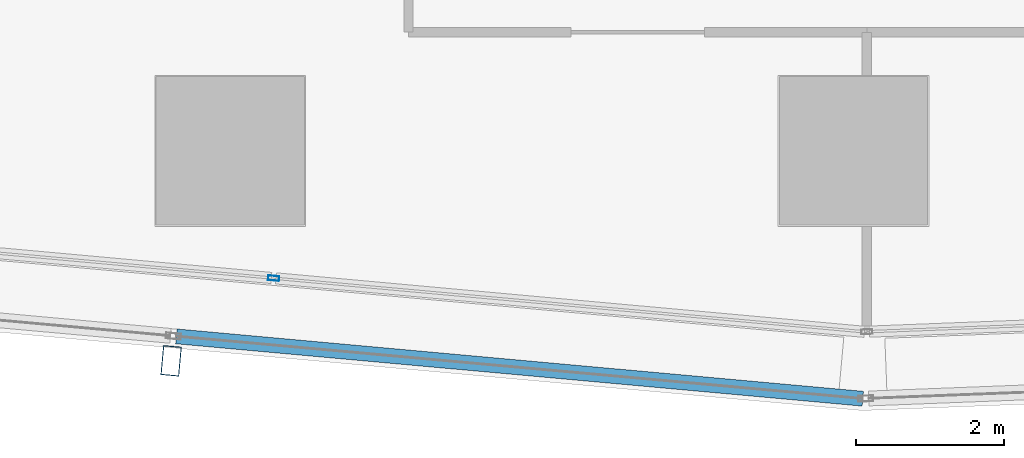
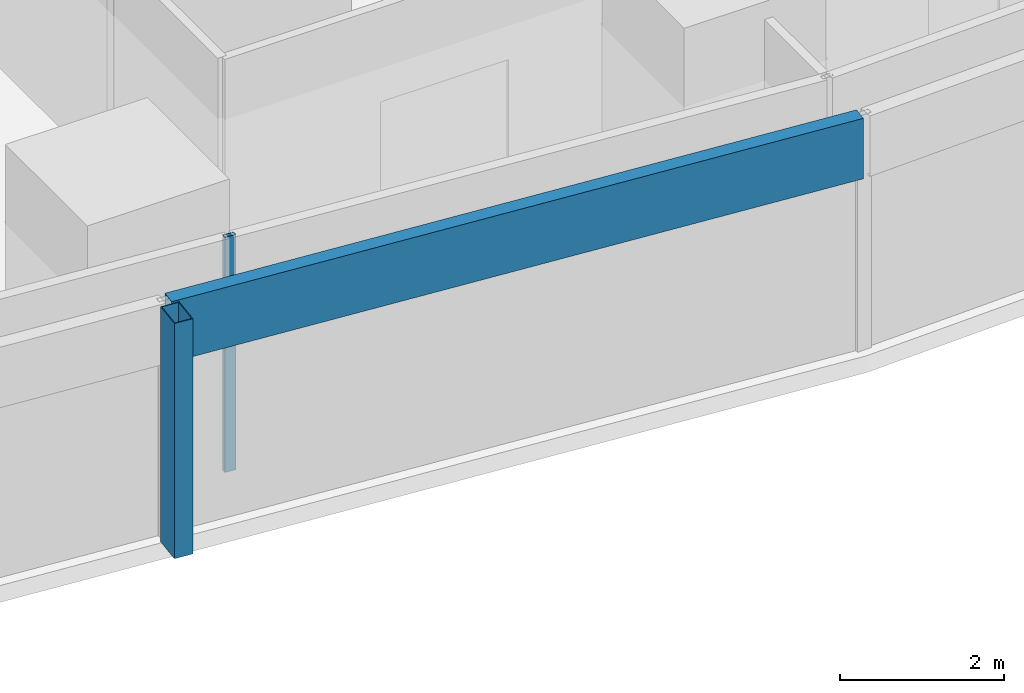
# One storey, part 3 of 39: 3 members, 2 elements without a shape of their own.
"""IFC4 building model written with IfcOpenShell, lengths in metres."""

from ifc_helpers import new_model, si_unit, direction, frame, origin, origin_2d, place, context, subcontext, project, spatial, hollow_rectangle, extrude, material, material_profile, profile_set, type_object, element, aggregate, save


model = new_model("IFC4")

# Units and contexts
model_context = context("Model", 3, precision=1e-05, world=origin(), true_north=direction((0.0, 1.0)))
body_context = subcontext(model_context, "Body", "Model", "MODEL_VIEW")
ifc_project = project(units=[si_unit("LENGTHUNIT", "METRE"), si_unit("AREAUNIT", "SQUARE_METRE"), si_unit("VOLUMEUNIT", "CUBIC_METRE"), si_unit("PLANEANGLEUNIT", "RADIAN"), si_unit("MASSUNIT", "GRAM", prefix="KILO")], contexts=[model_context])

# Site, building, storey
site_placement = place(None, origin())
site = spatial("IfcSite", under=ifc_project, at=site_placement, CompositionType="ELEMENT")
building_placement = place(site_placement, origin())
building = spatial("IfcBuilding", under=site, at=building_placement, Name="Rekha Terrace Tower", CompositionType="ELEMENT")
storey_placement = place(building_placement, frame((0.0, 0.0, 151.550048828125)))
storey = spatial("IfcBuildingStorey", under=building, at=storey_placement, Name="L38", CompositionType="ELEMENT", Elevation=151.550048828125)

# Curtain wall, member
ifc_material_1 = material(Name="Aluminium framing", Category="aluminium")
curtain_wall_type_1 = type_object("IfcCurtainWallType", Name="CW2 double skin outer glazing", PredefinedType="USERDEFINED", material=ifc_material_1)
curtain_wall_1_placement = place(storey_placement, origin())
curtain_wall_1 = element("IfcCurtainWall", 1, at=curtain_wall_1_placement, inside=storey, type_object=curtain_wall_type_1, Name="CW2 double skin outer glazing", ObjectType="DOUBLE SKIN OUTER GLAZING", PredefinedType="USERDEFINED")
ifc_material_2 = material(Name="Steel S355 with fluorocarbon finish", Category="steel")
ifc_material_profile_1 = material_profile(ifc_material_2, hollow_rectangle(XDim=0.25, YDim=0.39990234375, WallThickness=0.012451171875, at=origin_2d()), Name="RHS400x250x12.5")
ifc_profile_set_1 = profile_set([ifc_material_profile_1], Name="Steel S355 with fluorocarbon finish")
member_type_1 = type_object("IfcMemberType", Name="BL1 facade blade RHS 400 x 250", PredefinedType="USERDEFINED", material=ifc_profile_set_1)
member_1_placement = place(storey_placement, frame((16.002197265625, 13.970458984375, 0.0), z_axis=(0.0, 0.0, 1.0), x_axis=(0.995901938317, -0.090439644273, 0.0)))
member_1 = element("IfcMember", 2, at=member_1_placement, type_object=member_type_1, Name="Facade blade", ObjectType="FACADE BLADE", PredefinedType="USERDEFINED", context=body_context, shape_type="SweptSolid", body=[
    extrude(hollow_rectangle(XDim=0.25, YDim=0.39990234375, WallThickness=0.012451171875, at=origin_2d()), origin(), (0.0, 0.0, 1.0), 3.5),
])

curtain_wall_type_2 = type_object("IfcCurtainWallType", Name="CW1 double skin inner glazing", PredefinedType="USERDEFINED", material=ifc_material_1)
curtain_wall_2_placement = place(storey_placement, origin())
curtain_wall_2 = element("IfcCurtainWall", 3, at=curtain_wall_2_placement, inside=storey, type_object=curtain_wall_type_2, Name="CW1 double skin inner glazing", ObjectType="DOUBLE SKIN INNER GLAZING", PredefinedType="USERDEFINED")
ifc_material_3 = material(Name="Aluminium mullion section", Category="aluminium")
ifc_material_profile_2 = material_profile(ifc_material_3, hollow_rectangle(XDim=0.06494140625, YDim=0.14990234375, WallThickness=0.00390625, at=origin_2d()), Name="AL RHS 65x150")
ifc_profile_set_2 = profile_set([ifc_material_profile_2], Name="Aluminium mullion section")
member_type_2 = type_object("IfcMemberType", Name="CW1 mullion RHS 65 x 150", PredefinedType="MULLION", material=ifc_profile_set_2)
member_2_placement = place(storey_placement, frame((17.384033203125, 15.0849609375, 0.0), z_axis=(0.0, 0.0, 1.0), x_axis=(0.090439811381, 0.995901923142, 0.0)))
member_2 = element("IfcMember", 4, at=member_2_placement, type_object=member_type_2, Name="CW1 mullion 2", PredefinedType="MULLION", context=body_context, shape_type="SweptSolid", body=[
    extrude(hollow_rectangle(XDim=0.06494140625, YDim=0.14990234375, WallThickness=0.00390625, at=origin_2d()), origin(), (0.0, 0.0, 1.0), 3.5),
])
aggregate(curtain_wall_2, [member_2])

# Member
ifc_material_4 = material(Name="Insulated aluminium spandrel box", Category="aluminium")
ifc_material_profile_3 = material_profile(ifc_material_4, hollow_rectangle(XDim=0.199951171875, YDim=0.89990234375, WallThickness=0.0029296875, at=origin_2d()), Name="AL SPANDREL BOX 200x900")
ifc_profile_set_3 = profile_set([ifc_material_profile_3], Name="Insulated aluminium spandrel box")
member_type_3 = type_object("IfcMemberType", Name="CW2 spandrel transom 200 x 900", PredefinedType="USERDEFINED", material=ifc_profile_set_3)
member_3_placement = place(storey_placement, frame((16.072265625, 14.300537109375, 3.050048828125), z_axis=(0.995900527097, -0.090455182982, 0.0), x_axis=(0.090455182982, 0.995900527097, 0.0)))
member_3 = element("IfcMember", 5, at=member_3_placement, type_object=member_type_3, Name="CW2 spandrel transom 2", ObjectType="TRANSOM", PredefinedType="USERDEFINED", context=body_context, shape_type="SweptSolid", body=[
    extrude(hollow_rectangle(XDim=0.199951171875, YDim=0.89990234375, WallThickness=0.0029296875, at=origin_2d()), origin(), (0.0, 0.0, 1.0), 9.2900390625),
])

aggregate(curtain_wall_1, [member_3, member_1])

save(model, "model.ifc")
